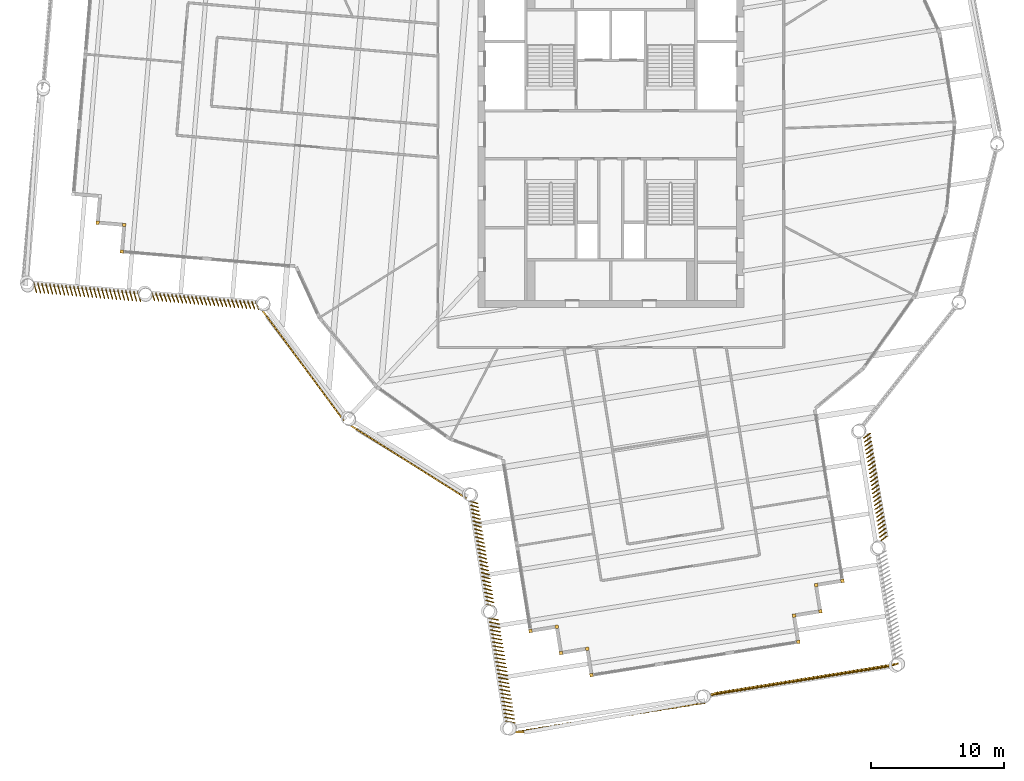
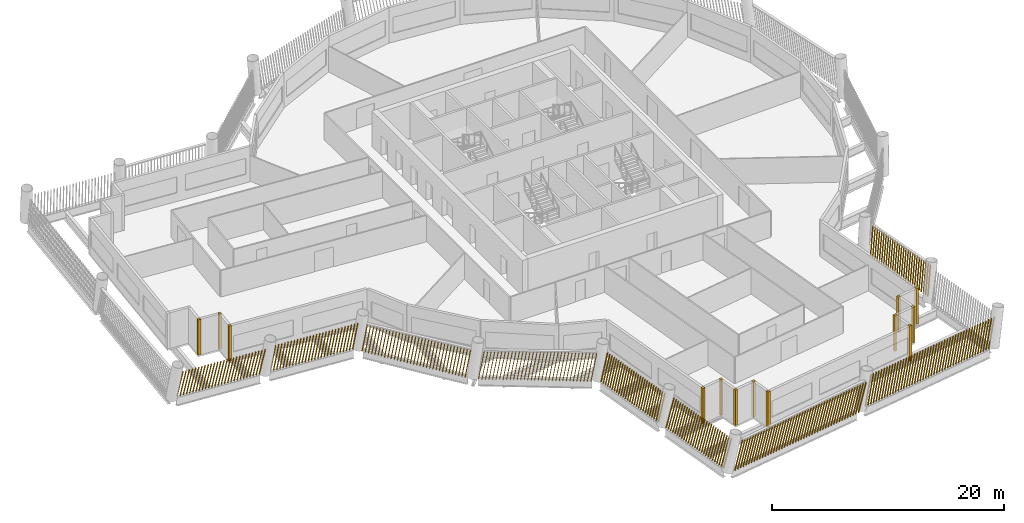
# One storey, part 10 of 14: 22 shading devices.
"""IFC4 building model written with IfcOpenShell, lengths in metres."""

from ifc_helpers import new_model, si_unit, direction, frame, frame_2d, origin, origin_2d, place, context, subcontext, project, spatial, rectangle, composite_profile, extrude, material, type_object, element, save


model = new_model("IFC4")

# Units and contexts
model_context = context("Model", 3, precision=1e-05, world=origin(), true_north=direction((0.0, 1.0)))
body_context = subcontext(model_context, "Body", "Model", "MODEL_VIEW")
ifc_project = project(units=[si_unit("LENGTHUNIT", "METRE"), si_unit("AREAUNIT", "SQUARE_METRE"), si_unit("VOLUMEUNIT", "CUBIC_METRE"), si_unit("PLANEANGLEUNIT", "RADIAN"), si_unit("MASSUNIT", "GRAM", prefix="KILO")], contexts=[model_context])

# Site, building, storey
site_placement = place(None, origin())
site = spatial("IfcSite", under=ifc_project, at=site_placement, CompositionType="ELEMENT")
building_placement = place(site_placement, origin())
building = spatial("IfcBuilding", under=site, at=building_placement, Name="Tarsis Ring Headquarters", CompositionType="ELEMENT")
storey_placement = place(building_placement, frame((0.0, 0.0, 266.89990234375)))
storey = spatial("IfcBuildingStorey", under=building, at=storey_placement, Name="L62", CompositionType="ELEMENT", Elevation=266.89990234375)

# Shading devices
ifc_material = material(Name="Terracotta baguette", Category="masonry")
shading_device_type_1 = type_object("IfcShadingDeviceType", Name="Terracotta baguette screen", PredefinedType="USERDEFINED", material=ifc_material)
shading_device_1_placement = place(storey_placement, frame((-19.543212890625, -21.869873046875, 0.0), z_axis=(0.0, 0.0, 1.0), x_axis=(0.84622495378, -0.53280367761, 0.0)))
element("IfcShadingDevice", 1, at=shading_device_1_placement, inside=storey, type_object=shading_device_type_1, Name="Baguette screen L62-00", ObjectType="Terracotta baguette screen", PredefinedType="USERDEFINED", context=body_context, shape_type="SweptSolid", body=[
    extrude(composite_profile([rectangle(XDim=0.06005859375, YDim=0.1201171875, at=frame_2d((0.030029296875, 0.0))), rectangle(XDim=0.06005859375, YDim=0.1201171875, at=frame_2d((0.33349609375, 0.0))), rectangle(XDim=0.06005859375, YDim=0.1201171875, at=frame_2d((0.636962890625, 0.0))), rectangle(XDim=0.06005859375, YDim=0.1201171875, at=frame_2d((0.9404296875, 0.0))), rectangle(XDim=0.06005859375, YDim=0.1201171875, at=frame_2d((1.243896484375, 0.0))), rectangle(XDim=0.06005859375, YDim=0.1201171875, at=frame_2d((1.54736328125, 0.0))), rectangle(XDim=0.06005859375, YDim=0.1201171875, at=frame_2d((1.85107421875, 0.0))), rectangle(XDim=0.06005859375, YDim=0.1201171875, at=frame_2d((2.154541015625, 0.0))), rectangle(XDim=0.06005859375, YDim=0.1201171875, at=frame_2d((2.4580078125, 0.0))), rectangle(XDim=0.06005859375, YDim=0.1201171875, at=frame_2d((2.761474609375, 0.0))), rectangle(XDim=0.06005859375, YDim=0.1201171875, at=frame_2d((3.06494140625, 0.0))), rectangle(XDim=0.06005859375, YDim=0.1201171875, at=frame_2d((3.368408203125, 0.0))), rectangle(XDim=0.06005859375, YDim=0.1201171875, at=frame_2d((3.671875, 0.0))), rectangle(XDim=0.06005859375, YDim=0.1201171875, at=frame_2d((3.975341796875, 0.0))), rectangle(XDim=0.06005859375, YDim=0.1201171875, at=frame_2d((4.27880859375, 0.0))), rectangle(XDim=0.06005859375, YDim=0.1201171875, at=frame_2d((4.582275390625, 0.0))), rectangle(XDim=0.06005859375, YDim=0.1201171875, at=frame_2d((4.8857421875, 0.0))), rectangle(XDim=0.06005859375, YDim=0.1201171875, at=frame_2d((5.189453125, 0.0))), rectangle(XDim=0.06005859375, YDim=0.1201171875, at=frame_2d((5.492919921875, 0.0))), rectangle(XDim=0.06005859375, YDim=0.1201171875, at=frame_2d((5.79638671875, 0.0))), rectangle(XDim=0.06005859375, YDim=0.1201171875, at=frame_2d((6.099853515625, 0.0))), rectangle(XDim=0.06005859375, YDim=0.1201171875, at=frame_2d((6.4033203125, 0.0))), rectangle(XDim=0.06005859375, YDim=0.1201171875, at=frame_2d((6.706787109375, 0.0))), rectangle(XDim=0.06005859375, YDim=0.1201171875, at=frame_2d((7.01025390625, 0.0))), rectangle(XDim=0.06005859375, YDim=0.1201171875, at=frame_2d((7.313720703125, 0.0))), rectangle(XDim=0.06005859375, YDim=0.1201171875, at=frame_2d((7.6171875, 0.0))), rectangle(XDim=0.06005859375, YDim=0.1201171875, at=frame_2d((7.920654296875, 0.0))), rectangle(XDim=0.06005859375, YDim=0.1201171875, at=frame_2d((8.224365234375, 0.0))), rectangle(XDim=0.06005859375, YDim=0.1201171875, at=frame_2d((8.52783203125, 0.0))), rectangle(XDim=0.06005859375, YDim=0.1201171875, at=frame_2d((8.831298828125, 0.0))), rectangle(XDim=0.06005859375, YDim=0.1201171875, at=frame_2d((9.134765625, 0.0))), rectangle(XDim=0.06005859375, YDim=0.1201171875, at=frame_2d((9.438232421875, 0.0))), rectangle(XDim=0.06005859375, YDim=0.1201171875, at=frame_2d((9.74169921875, 0.0)))]), origin(), (0.1676444312, 0.001464605625, 0.985846438153), 3.0107421875),
])
shading_device_2_placement = place(storey_placement, frame((-10.57177734375, -27.51904296875, 0.0), z_axis=(0.0, 0.0, 1.0), x_axis=(0.158494763185, -0.987363672877, 0.0)))
element("IfcShadingDevice", 2, at=shading_device_2_placement, inside=storey, type_object=shading_device_type_1, Name="Baguette screen L62-01", ObjectType="Terracotta baguette screen", PredefinedType="USERDEFINED", context=body_context, shape_type="SweptSolid", body=[
    extrude(composite_profile([rectangle(XDim=0.06005859375, YDim=0.1201171875, at=frame_2d((0.030029296875, 0.0))), rectangle(XDim=0.06005859375, YDim=0.1201171875, at=frame_2d((0.33154296875, 0.0))), rectangle(XDim=0.06005859375, YDim=0.1201171875, at=frame_2d((0.63330078125, 0.0))), rectangle(XDim=0.06005859375, YDim=0.1201171875, at=frame_2d((0.934814453125, 0.0))), rectangle(XDim=0.06005859375, YDim=0.1201171875, at=frame_2d((1.236572265625, 0.0))), rectangle(XDim=0.06005859375, YDim=0.1201171875, at=frame_2d((1.5380859375, 0.0))), rectangle(XDim=0.06005859375, YDim=0.1201171875, at=frame_2d((1.83984375, 0.0))), rectangle(XDim=0.06005859375, YDim=0.1201171875, at=frame_2d((2.141357421875, 0.0))), rectangle(XDim=0.06005859375, YDim=0.1201171875, at=frame_2d((2.443115234375, 0.0))), rectangle(XDim=0.06005859375, YDim=0.1201171875, at=frame_2d((2.74462890625, 0.0))), rectangle(XDim=0.06005859375, YDim=0.1201171875, at=frame_2d((3.04638671875, 0.0))), rectangle(XDim=0.06005859375, YDim=0.1201171875, at=frame_2d((3.347900390625, 0.0))), rectangle(XDim=0.06005859375, YDim=0.1201171875, at=frame_2d((3.649658203125, 0.0))), rectangle(XDim=0.06005859375, YDim=0.1201171875, at=frame_2d((3.951171875, 0.0))), rectangle(XDim=0.06005859375, YDim=0.1201171875, at=frame_2d((4.252685546875, 0.0))), rectangle(XDim=0.06005859375, YDim=0.1201171875, at=frame_2d((4.554443359375, 0.0))), rectangle(XDim=0.06005859375, YDim=0.1201171875, at=frame_2d((4.85595703125, 0.0))), rectangle(XDim=0.06005859375, YDim=0.1201171875, at=frame_2d((5.15771484375, 0.0))), rectangle(XDim=0.06005859375, YDim=0.1201171875, at=frame_2d((5.459228515625, 0.0))), rectangle(XDim=0.06005859375, YDim=0.1201171875, at=frame_2d((5.760986328125, 0.0))), rectangle(XDim=0.06005859375, YDim=0.1201171875, at=frame_2d((6.0625, 0.0))), rectangle(XDim=0.06005859375, YDim=0.1201171875, at=frame_2d((6.3642578125, 0.0))), rectangle(XDim=0.06005859375, YDim=0.1201171875, at=frame_2d((6.665771484375, 0.0))), rectangle(XDim=0.06005859375, YDim=0.1201171875, at=frame_2d((6.967529296875, 0.0))), rectangle(XDim=0.06005859375, YDim=0.1201171875, at=frame_2d((7.26904296875, 0.0))), rectangle(XDim=0.06005859375, YDim=0.1201171875, at=frame_2d((7.57080078125, 0.0))), rectangle(XDim=0.06005859375, YDim=0.1201171875, at=frame_2d((7.872314453125, 0.0)))]), origin(), (0.083952026305, 0.170734906105, 0.981734001202), 3.023193359375),
])
shading_device_3_placement = place(storey_placement, frame((-9.160888671875, -36.308837890625, 0.0), z_axis=(0.0, 0.0, 1.0), x_axis=(0.15852565885, -0.987363672877, 0.0)))
element("IfcShadingDevice", 3, at=shading_device_3_placement, inside=storey, type_object=shading_device_type_1, Name="Baguette screen L62-02", ObjectType="Terracotta baguette screen", PredefinedType="USERDEFINED", context=body_context, shape_type="SweptSolid", body=[
    extrude(composite_profile([rectangle(XDim=0.06005859375, YDim=0.1201171875, at=frame_2d((0.030029296875, 0.0))), rectangle(XDim=0.06005859375, YDim=0.1201171875, at=frame_2d((0.33154296875, 0.0))), rectangle(XDim=0.06005859375, YDim=0.1201171875, at=frame_2d((0.63330078125, 0.0))), rectangle(XDim=0.06005859375, YDim=0.1201171875, at=frame_2d((0.934814453125, 0.0))), rectangle(XDim=0.06005859375, YDim=0.1201171875, at=frame_2d((1.236572265625, 0.0))), rectangle(XDim=0.06005859375, YDim=0.1201171875, at=frame_2d((1.5380859375, 0.0))), rectangle(XDim=0.06005859375, YDim=0.1201171875, at=frame_2d((1.83984375, 0.0))), rectangle(XDim=0.06005859375, YDim=0.1201171875, at=frame_2d((2.141357421875, 0.0))), rectangle(XDim=0.06005859375, YDim=0.1201171875, at=frame_2d((2.443115234375, 0.0))), rectangle(XDim=0.06005859375, YDim=0.1201171875, at=frame_2d((2.74462890625, 0.0))), rectangle(XDim=0.06005859375, YDim=0.1201171875, at=frame_2d((3.04638671875, 0.0))), rectangle(XDim=0.06005859375, YDim=0.1201171875, at=frame_2d((3.347900390625, 0.0))), rectangle(XDim=0.06005859375, YDim=0.1201171875, at=frame_2d((3.649658203125, 0.0))), rectangle(XDim=0.06005859375, YDim=0.1201171875, at=frame_2d((3.951171875, 0.0))), rectangle(XDim=0.06005859375, YDim=0.1201171875, at=frame_2d((4.252685546875, 0.0))), rectangle(XDim=0.06005859375, YDim=0.1201171875, at=frame_2d((4.554443359375, 0.0))), rectangle(XDim=0.06005859375, YDim=0.1201171875, at=frame_2d((4.85595703125, 0.0))), rectangle(XDim=0.06005859375, YDim=0.1201171875, at=frame_2d((5.15771484375, 0.0))), rectangle(XDim=0.06005859375, YDim=0.1201171875, at=frame_2d((5.459228515625, 0.0))), rectangle(XDim=0.06005859375, YDim=0.1201171875, at=frame_2d((5.760986328125, 0.0))), rectangle(XDim=0.06005859375, YDim=0.1201171875, at=frame_2d((6.0625, 0.0))), rectangle(XDim=0.06005859375, YDim=0.1201171875, at=frame_2d((6.3642578125, 0.0))), rectangle(XDim=0.06005859375, YDim=0.1201171875, at=frame_2d((6.665771484375, 0.0))), rectangle(XDim=0.06005859375, YDim=0.1201171875, at=frame_2d((6.967529296875, 0.0))), rectangle(XDim=0.06005859375, YDim=0.1201171875, at=frame_2d((7.26904296875, 0.0))), rectangle(XDim=0.06005859375, YDim=0.1201171875, at=frame_2d((7.57080078125, 0.0))), rectangle(XDim=0.06005859375, YDim=0.1201171875, at=frame_2d((7.872314453125, 0.0)))]), origin(), (0.082683060161, 0.219923307519, 0.972006816011), 3.053466796875),
])
shading_device_4_placement = place(storey_placement, frame((-7.27587890625, -44.895751953125, 0.0), z_axis=(0.0, 0.0, 1.0), x_axis=(0.987350729766, 0.158496240602, 0.0)))
element("IfcShadingDevice", 4, at=shading_device_4_placement, inside=storey, type_object=shading_device_type_1, Name="Baguette screen L62-03", ObjectType="Terracotta baguette screen", PredefinedType="USERDEFINED", context=body_context, shape_type="SweptSolid", body=[
    extrude(composite_profile([rectangle(XDim=0.06005859375, YDim=0.1201171875, at=frame_2d((0.030029296875, 0.0))), rectangle(XDim=0.06005859375, YDim=0.1201171875, at=frame_2d((0.33544921875, 0.0))), rectangle(XDim=0.06005859375, YDim=0.1201171875, at=frame_2d((0.640625, 0.0))), rectangle(XDim=0.06005859375, YDim=0.1201171875, at=frame_2d((0.946044921875, 0.0))), rectangle(XDim=0.06005859375, YDim=0.1201171875, at=frame_2d((1.25146484375, 0.0))), rectangle(XDim=0.06005859375, YDim=0.1201171875, at=frame_2d((1.556640625, 0.0))), rectangle(XDim=0.06005859375, YDim=0.1201171875, at=frame_2d((1.862060546875, 0.0))), rectangle(XDim=0.06005859375, YDim=0.1201171875, at=frame_2d((2.16748046875, 0.0))), rectangle(XDim=0.06005859375, YDim=0.1201171875, at=frame_2d((2.47265625, 0.0))), rectangle(XDim=0.06005859375, YDim=0.1201171875, at=frame_2d((2.778076171875, 0.0))), rectangle(XDim=0.06005859375, YDim=0.1201171875, at=frame_2d((3.08349609375, 0.0))), rectangle(XDim=0.06005859375, YDim=0.1201171875, at=frame_2d((3.388671875, 0.0))), rectangle(XDim=0.06005859375, YDim=0.1201171875, at=frame_2d((3.694091796875, 0.0))), rectangle(XDim=0.06005859375, YDim=0.1201171875, at=frame_2d((3.99951171875, 0.0))), rectangle(XDim=0.06005859375, YDim=0.1201171875, at=frame_2d((4.3046875, 0.0))), rectangle(XDim=0.06005859375, YDim=0.1201171875, at=frame_2d((4.610107421875, 0.0))), rectangle(XDim=0.06005859375, YDim=0.1201171875, at=frame_2d((4.91552734375, 0.0))), rectangle(XDim=0.06005859375, YDim=0.1201171875, at=frame_2d((5.220703125, 0.0))), rectangle(XDim=0.06005859375, YDim=0.1201171875, at=frame_2d((5.526123046875, 0.0))), rectangle(XDim=0.06005859375, YDim=0.1201171875, at=frame_2d((5.83154296875, 0.0))), rectangle(XDim=0.06005859375, YDim=0.1201171875, at=frame_2d((6.13671875, 0.0))), rectangle(XDim=0.06005859375, YDim=0.1201171875, at=frame_2d((6.442138671875, 0.0))), rectangle(XDim=0.06005859375, YDim=0.1201171875, at=frame_2d((6.74755859375, 0.0))), rectangle(XDim=0.06005859375, YDim=0.1201171875, at=frame_2d((7.052734375, 0.0))), rectangle(XDim=0.06005859375, YDim=0.1201171875, at=frame_2d((7.358154296875, 0.0))), rectangle(XDim=0.06005859375, YDim=0.1201171875, at=frame_2d((7.66357421875, 0.0))), rectangle(XDim=0.06005859375, YDim=0.1201171875, at=frame_2d((7.96875, 0.0))), rectangle(XDim=0.06005859375, YDim=0.1201171875, at=frame_2d((8.274169921875, 0.0))), rectangle(XDim=0.06005859375, YDim=0.1201171875, at=frame_2d((8.57958984375, 0.0))), rectangle(XDim=0.06005859375, YDim=0.1201171875, at=frame_2d((8.884765625, 0.0))), rectangle(XDim=0.06005859375, YDim=0.1201171875, at=frame_2d((9.190185546875, 0.0))), rectangle(XDim=0.06005859375, YDim=0.1201171875, at=frame_2d((9.49560546875, 0.0))), rectangle(XDim=0.06005859375, YDim=0.1201171875, at=frame_2d((9.80078125, 0.0))), rectangle(XDim=0.06005859375, YDim=0.1201171875, at=frame_2d((10.106201171875, 0.0))), rectangle(XDim=0.06005859375, YDim=0.1201171875, at=frame_2d((10.41162109375, 0.0))), rectangle(XDim=0.06005859375, YDim=0.1201171875, at=frame_2d((10.716796875, 0.0))), rectangle(XDim=0.06005859375, YDim=0.1201171875, at=frame_2d((11.022216796875, 0.0))), rectangle(XDim=0.06005859375, YDim=0.1201171875, at=frame_2d((11.32763671875, 0.0))), rectangle(XDim=0.06005859375, YDim=0.1201171875, at=frame_2d((11.6328125, 0.0))), rectangle(XDim=0.06005859375, YDim=0.1201171875, at=frame_2d((11.938232421875, 0.0))), rectangle(XDim=0.06005859375, YDim=0.1201171875, at=frame_2d((12.24365234375, 0.0))), rectangle(XDim=0.06005859375, YDim=0.1201171875, at=frame_2d((12.548828125, 0.0))), rectangle(XDim=0.06005859375, YDim=0.1201171875, at=frame_2d((12.854248046875, 0.0))), rectangle(XDim=0.06005859375, YDim=0.1201171875, at=frame_2d((13.15966796875, 0.0))), rectangle(XDim=0.06005859375, YDim=0.1201171875, at=frame_2d((13.46484375, 0.0))), rectangle(XDim=0.06005859375, YDim=0.1201171875, at=frame_2d((13.770263671875, 0.0)))]), origin(), (0.246216373169, -0.039990587042, 0.968389513848), 3.06494140625),
])
shading_device_5_placement = place(storey_placement, frame((7.277587890625, -42.1796875, 0.0), z_axis=(0.0, 0.0, 1.0), x_axis=(0.987350729766, 0.158496240602, 0.0)))
element("IfcShadingDevice", 5, at=shading_device_5_placement, inside=storey, type_object=shading_device_type_1, Name="Baguette screen L62-04", ObjectType="Terracotta baguette screen", PredefinedType="USERDEFINED", context=body_context, shape_type="SweptSolid", body=[
    extrude(composite_profile([rectangle(XDim=0.06005859375, YDim=0.1201171875, at=frame_2d((0.030029296875, 0.0))), rectangle(XDim=0.06005859375, YDim=0.1201171875, at=frame_2d((0.33544921875, 0.0))), rectangle(XDim=0.06005859375, YDim=0.1201171875, at=frame_2d((0.640625, 0.0))), rectangle(XDim=0.06005859375, YDim=0.1201171875, at=frame_2d((0.946044921875, 0.0))), rectangle(XDim=0.06005859375, YDim=0.1201171875, at=frame_2d((1.25146484375, 0.0))), rectangle(XDim=0.06005859375, YDim=0.1201171875, at=frame_2d((1.556640625, 0.0))), rectangle(XDim=0.06005859375, YDim=0.1201171875, at=frame_2d((1.862060546875, 0.0))), rectangle(XDim=0.06005859375, YDim=0.1201171875, at=frame_2d((2.16748046875, 0.0))), rectangle(XDim=0.06005859375, YDim=0.1201171875, at=frame_2d((2.47265625, 0.0))), rectangle(XDim=0.06005859375, YDim=0.1201171875, at=frame_2d((2.778076171875, 0.0))), rectangle(XDim=0.06005859375, YDim=0.1201171875, at=frame_2d((3.08349609375, 0.0))), rectangle(XDim=0.06005859375, YDim=0.1201171875, at=frame_2d((3.388671875, 0.0))), rectangle(XDim=0.06005859375, YDim=0.1201171875, at=frame_2d((3.694091796875, 0.0))), rectangle(XDim=0.06005859375, YDim=0.1201171875, at=frame_2d((3.99951171875, 0.0))), rectangle(XDim=0.06005859375, YDim=0.1201171875, at=frame_2d((4.3046875, 0.0))), rectangle(XDim=0.06005859375, YDim=0.1201171875, at=frame_2d((4.610107421875, 0.0))), rectangle(XDim=0.06005859375, YDim=0.1201171875, at=frame_2d((4.91552734375, 0.0))), rectangle(XDim=0.06005859375, YDim=0.1201171875, at=frame_2d((5.220703125, 0.0))), rectangle(XDim=0.06005859375, YDim=0.1201171875, at=frame_2d((5.526123046875, 0.0))), rectangle(XDim=0.06005859375, YDim=0.1201171875, at=frame_2d((5.83154296875, 0.0))), rectangle(XDim=0.06005859375, YDim=0.1201171875, at=frame_2d((6.13671875, 0.0))), rectangle(XDim=0.06005859375, YDim=0.1201171875, at=frame_2d((6.442138671875, 0.0))), rectangle(XDim=0.06005859375, YDim=0.1201171875, at=frame_2d((6.74755859375, 0.0))), rectangle(XDim=0.06005859375, YDim=0.1201171875, at=frame_2d((7.052734375, 0.0))), rectangle(XDim=0.06005859375, YDim=0.1201171875, at=frame_2d((7.358154296875, 0.0))), rectangle(XDim=0.06005859375, YDim=0.1201171875, at=frame_2d((7.66357421875, 0.0))), rectangle(XDim=0.06005859375, YDim=0.1201171875, at=frame_2d((7.96875, 0.0))), rectangle(XDim=0.06005859375, YDim=0.1201171875, at=frame_2d((8.274169921875, 0.0))), rectangle(XDim=0.06005859375, YDim=0.1201171875, at=frame_2d((8.57958984375, 0.0))), rectangle(XDim=0.06005859375, YDim=0.1201171875, at=frame_2d((8.884765625, 0.0))), rectangle(XDim=0.06005859375, YDim=0.1201171875, at=frame_2d((9.190185546875, 0.0))), rectangle(XDim=0.06005859375, YDim=0.1201171875, at=frame_2d((9.49560546875, 0.0))), rectangle(XDim=0.06005859375, YDim=0.1201171875, at=frame_2d((9.80078125, 0.0))), rectangle(XDim=0.06005859375, YDim=0.1201171875, at=frame_2d((10.106201171875, 0.0))), rectangle(XDim=0.06005859375, YDim=0.1201171875, at=frame_2d((10.41162109375, 0.0))), rectangle(XDim=0.06005859375, YDim=0.1201171875, at=frame_2d((10.716796875, 0.0))), rectangle(XDim=0.06005859375, YDim=0.1201171875, at=frame_2d((11.022216796875, 0.0))), rectangle(XDim=0.06005859375, YDim=0.1201171875, at=frame_2d((11.32763671875, 0.0))), rectangle(XDim=0.06005859375, YDim=0.1201171875, at=frame_2d((11.6328125, 0.0))), rectangle(XDim=0.06005859375, YDim=0.1201171875, at=frame_2d((11.938232421875, 0.0))), rectangle(XDim=0.06005859375, YDim=0.1201171875, at=frame_2d((12.24365234375, 0.0))), rectangle(XDim=0.06005859375, YDim=0.1201171875, at=frame_2d((12.548828125, 0.0))), rectangle(XDim=0.06005859375, YDim=0.1201171875, at=frame_2d((12.854248046875, 0.0))), rectangle(XDim=0.06005859375, YDim=0.1201171875, at=frame_2d((13.15966796875, 0.0))), rectangle(XDim=0.06005859375, YDim=0.1201171875, at=frame_2d((13.46484375, 0.0))), rectangle(XDim=0.06005859375, YDim=0.1201171875, at=frame_2d((13.770263671875, 0.0)))]), origin(), (0.24347249301, 0.044288752015, 0.968896099482), 3.063232421875),
])
shading_device_6_placement = place(storey_placement, frame((20.27685546875, -30.5703125, 0.0), z_axis=(0.0, 0.0, 1.0), x_axis=(-0.158520761246, 0.987364063272, 0.0)))
element("IfcShadingDevice", 6, at=shading_device_6_placement, inside=storey, type_object=shading_device_type_1, Name="Baguette screen L62-06", ObjectType="Terracotta baguette screen", PredefinedType="USERDEFINED", context=body_context, shape_type="SweptSolid", body=[
    extrude(composite_profile([rectangle(XDim=0.06005859375, YDim=0.1201171875, at=frame_2d((0.030029296875, 0.0))), rectangle(XDim=0.06005859375, YDim=0.1201171875, at=frame_2d((0.33154296875, 0.0))), rectangle(XDim=0.06005859375, YDim=0.1201171875, at=frame_2d((0.63330078125, 0.0))), rectangle(XDim=0.06005859375, YDim=0.1201171875, at=frame_2d((0.934814453125, 0.0))), rectangle(XDim=0.06005859375, YDim=0.1201171875, at=frame_2d((1.236572265625, 0.0))), rectangle(XDim=0.06005859375, YDim=0.1201171875, at=frame_2d((1.5380859375, 0.0))), rectangle(XDim=0.06005859375, YDim=0.1201171875, at=frame_2d((1.83984375, 0.0))), rectangle(XDim=0.06005859375, YDim=0.1201171875, at=frame_2d((2.141357421875, 0.0))), rectangle(XDim=0.06005859375, YDim=0.1201171875, at=frame_2d((2.443115234375, 0.0))), rectangle(XDim=0.06005859375, YDim=0.1201171875, at=frame_2d((2.74462890625, 0.0))), rectangle(XDim=0.06005859375, YDim=0.1201171875, at=frame_2d((3.04638671875, 0.0))), rectangle(XDim=0.06005859375, YDim=0.1201171875, at=frame_2d((3.347900390625, 0.0))), rectangle(XDim=0.06005859375, YDim=0.1201171875, at=frame_2d((3.649658203125, 0.0))), rectangle(XDim=0.06005859375, YDim=0.1201171875, at=frame_2d((3.951171875, 0.0))), rectangle(XDim=0.06005859375, YDim=0.1201171875, at=frame_2d((4.252685546875, 0.0))), rectangle(XDim=0.06005859375, YDim=0.1201171875, at=frame_2d((4.554443359375, 0.0))), rectangle(XDim=0.06005859375, YDim=0.1201171875, at=frame_2d((4.85595703125, 0.0))), rectangle(XDim=0.06005859375, YDim=0.1201171875, at=frame_2d((5.15771484375, 0.0))), rectangle(XDim=0.06005859375, YDim=0.1201171875, at=frame_2d((5.459228515625, 0.0))), rectangle(XDim=0.06005859375, YDim=0.1201171875, at=frame_2d((5.760986328125, 0.0))), rectangle(XDim=0.06005859375, YDim=0.1201171875, at=frame_2d((6.0625, 0.0))), rectangle(XDim=0.06005859375, YDim=0.1201171875, at=frame_2d((6.3642578125, 0.0))), rectangle(XDim=0.06005859375, YDim=0.1201171875, at=frame_2d((6.665771484375, 0.0))), rectangle(XDim=0.06005859375, YDim=0.1201171875, at=frame_2d((6.967529296875, 0.0))), rectangle(XDim=0.06005859375, YDim=0.1201171875, at=frame_2d((7.26904296875, 0.0))), rectangle(XDim=0.06005859375, YDim=0.1201171875, at=frame_2d((7.57080078125, 0.0))), rectangle(XDim=0.06005859375, YDim=0.1201171875, at=frame_2d((7.872314453125, 0.0)))]), origin(), (0.089066119418, -0.169194669204, 0.981549993778), 3.02392578125),
])
shading_device_7_placement = place(storey_placement, frame((-43.40576171875, -11.14794921875, 0.0), z_axis=(0.0, 0.0, 1.0), x_axis=(0.996385318833, -0.085053138903, 0.0)))
element("IfcShadingDevice", 7, at=shading_device_7_placement, inside=storey, type_object=shading_device_type_1, Name="Baguette screen L62-19", ObjectType="Terracotta baguette screen", PredefinedType="USERDEFINED", context=body_context, shape_type="SweptSolid", body=[
    extrude(composite_profile([rectangle(XDim=0.06005859375, YDim=0.1201171875, at=frame_2d((0.030029296875, 0.0))), rectangle(XDim=0.06005859375, YDim=0.1201171875, at=frame_2d((0.33154296875, 0.0))), rectangle(XDim=0.06005859375, YDim=0.1201171875, at=frame_2d((0.63330078125, 0.0))), rectangle(XDim=0.06005859375, YDim=0.1201171875, at=frame_2d((0.934814453125, 0.0))), rectangle(XDim=0.06005859375, YDim=0.1201171875, at=frame_2d((1.236572265625, 0.0))), rectangle(XDim=0.06005859375, YDim=0.1201171875, at=frame_2d((1.5380859375, 0.0))), rectangle(XDim=0.06005859375, YDim=0.1201171875, at=frame_2d((1.83984375, 0.0))), rectangle(XDim=0.06005859375, YDim=0.1201171875, at=frame_2d((2.141357421875, 0.0))), rectangle(XDim=0.06005859375, YDim=0.1201171875, at=frame_2d((2.443115234375, 0.0))), rectangle(XDim=0.06005859375, YDim=0.1201171875, at=frame_2d((2.74462890625, 0.0))), rectangle(XDim=0.06005859375, YDim=0.1201171875, at=frame_2d((3.04638671875, 0.0))), rectangle(XDim=0.06005859375, YDim=0.1201171875, at=frame_2d((3.347900390625, 0.0))), rectangle(XDim=0.06005859375, YDim=0.1201171875, at=frame_2d((3.649658203125, 0.0))), rectangle(XDim=0.06005859375, YDim=0.1201171875, at=frame_2d((3.951171875, 0.0))), rectangle(XDim=0.06005859375, YDim=0.1201171875, at=frame_2d((4.252685546875, 0.0))), rectangle(XDim=0.06005859375, YDim=0.1201171875, at=frame_2d((4.554443359375, 0.0))), rectangle(XDim=0.06005859375, YDim=0.1201171875, at=frame_2d((4.85595703125, 0.0))), rectangle(XDim=0.06005859375, YDim=0.1201171875, at=frame_2d((5.15771484375, 0.0))), rectangle(XDim=0.06005859375, YDim=0.1201171875, at=frame_2d((5.459228515625, 0.0))), rectangle(XDim=0.06005859375, YDim=0.1201171875, at=frame_2d((5.760986328125, 0.0))), rectangle(XDim=0.06005859375, YDim=0.1201171875, at=frame_2d((6.0625, 0.0))), rectangle(XDim=0.06005859375, YDim=0.1201171875, at=frame_2d((6.3642578125, 0.0))), rectangle(XDim=0.06005859375, YDim=0.1201171875, at=frame_2d((6.665771484375, 0.0))), rectangle(XDim=0.06005859375, YDim=0.1201171875, at=frame_2d((6.967529296875, 0.0))), rectangle(XDim=0.06005859375, YDim=0.1201171875, at=frame_2d((7.26904296875, 0.0))), rectangle(XDim=0.06005859375, YDim=0.1201171875, at=frame_2d((7.57080078125, 0.0))), rectangle(XDim=0.06005859375, YDim=0.1201171875, at=frame_2d((7.872314453125, 0.0)))]), origin(), (0.086499889943, -0.218450196337, 0.972006831643), 3.053466796875),
])
shading_device_8_placement = place(storey_placement, frame((-34.53564453125, -11.9052734375, 0.0), z_axis=(0.0, 0.0, 1.0), x_axis=(0.996385207155, -0.085055766676, 0.0)))
element("IfcShadingDevice", 8, at=shading_device_8_placement, inside=storey, type_object=shading_device_type_1, Name="Baguette screen L62-20", ObjectType="Terracotta baguette screen", PredefinedType="USERDEFINED", context=body_context, shape_type="SweptSolid", body=[
    extrude(composite_profile([rectangle(XDim=0.06005859375, YDim=0.1201171875, at=frame_2d((0.030029296875, 0.0))), rectangle(XDim=0.06005859375, YDim=0.1201171875, at=frame_2d((0.33154296875, 0.0))), rectangle(XDim=0.06005859375, YDim=0.1201171875, at=frame_2d((0.63330078125, 0.0))), rectangle(XDim=0.06005859375, YDim=0.1201171875, at=frame_2d((0.934814453125, 0.0))), rectangle(XDim=0.06005859375, YDim=0.1201171875, at=frame_2d((1.236572265625, 0.0))), rectangle(XDim=0.06005859375, YDim=0.1201171875, at=frame_2d((1.5380859375, 0.0))), rectangle(XDim=0.06005859375, YDim=0.1201171875, at=frame_2d((1.83984375, 0.0))), rectangle(XDim=0.06005859375, YDim=0.1201171875, at=frame_2d((2.141357421875, 0.0))), rectangle(XDim=0.06005859375, YDim=0.1201171875, at=frame_2d((2.443115234375, 0.0))), rectangle(XDim=0.06005859375, YDim=0.1201171875, at=frame_2d((2.74462890625, 0.0))), rectangle(XDim=0.06005859375, YDim=0.1201171875, at=frame_2d((3.04638671875, 0.0))), rectangle(XDim=0.06005859375, YDim=0.1201171875, at=frame_2d((3.347900390625, 0.0))), rectangle(XDim=0.06005859375, YDim=0.1201171875, at=frame_2d((3.649658203125, 0.0))), rectangle(XDim=0.06005859375, YDim=0.1201171875, at=frame_2d((3.951171875, 0.0))), rectangle(XDim=0.06005859375, YDim=0.1201171875, at=frame_2d((4.252685546875, 0.0))), rectangle(XDim=0.06005859375, YDim=0.1201171875, at=frame_2d((4.554443359375, 0.0))), rectangle(XDim=0.06005859375, YDim=0.1201171875, at=frame_2d((4.85595703125, 0.0))), rectangle(XDim=0.06005859375, YDim=0.1201171875, at=frame_2d((5.15771484375, 0.0))), rectangle(XDim=0.06005859375, YDim=0.1201171875, at=frame_2d((5.459228515625, 0.0))), rectangle(XDim=0.06005859375, YDim=0.1201171875, at=frame_2d((5.760986328125, 0.0))), rectangle(XDim=0.06005859375, YDim=0.1201171875, at=frame_2d((6.0625, 0.0))), rectangle(XDim=0.06005859375, YDim=0.1201171875, at=frame_2d((6.3642578125, 0.0))), rectangle(XDim=0.06005859375, YDim=0.1201171875, at=frame_2d((6.665771484375, 0.0))), rectangle(XDim=0.06005859375, YDim=0.1201171875, at=frame_2d((6.967529296875, 0.0))), rectangle(XDim=0.06005859375, YDim=0.1201171875, at=frame_2d((7.26904296875, 0.0))), rectangle(XDim=0.06005859375, YDim=0.1201171875, at=frame_2d((7.57080078125, 0.0))), rectangle(XDim=0.06005859375, YDim=0.1201171875, at=frame_2d((7.872314453125, 0.0)))]), origin(), (0.086918375495, -0.169245077153, 0.981733823325), 3.023193359375),
])
shading_device_9_placement = place(storey_placement, frame((-26.168701171875, -13.244873046875, 0.0), z_axis=(0.0, 0.0, 1.0), x_axis=(0.593903810119, -0.804547158026, 0.0)))
element("IfcShadingDevice", 9, at=shading_device_9_placement, inside=storey, type_object=shading_device_type_1, Name="Baguette screen L62-21", ObjectType="Terracotta baguette screen", PredefinedType="USERDEFINED", context=body_context, shape_type="SweptSolid", body=[
    extrude(composite_profile([rectangle(XDim=0.06005859375, YDim=0.1201171875, at=frame_2d((0.030029296875, 0.0))), rectangle(XDim=0.06005859375, YDim=0.1201171875, at=frame_2d((0.33349609375, 0.0))), rectangle(XDim=0.06005859375, YDim=0.1201171875, at=frame_2d((0.636962890625, 0.0))), rectangle(XDim=0.06005859375, YDim=0.1201171875, at=frame_2d((0.9404296875, 0.0))), rectangle(XDim=0.06005859375, YDim=0.1201171875, at=frame_2d((1.243896484375, 0.0))), rectangle(XDim=0.06005859375, YDim=0.1201171875, at=frame_2d((1.54736328125, 0.0))), rectangle(XDim=0.06005859375, YDim=0.1201171875, at=frame_2d((1.85107421875, 0.0))), rectangle(XDim=0.06005859375, YDim=0.1201171875, at=frame_2d((2.154541015625, 0.0))), rectangle(XDim=0.06005859375, YDim=0.1201171875, at=frame_2d((2.4580078125, 0.0))), rectangle(XDim=0.06005859375, YDim=0.1201171875, at=frame_2d((2.761474609375, 0.0))), rectangle(XDim=0.06005859375, YDim=0.1201171875, at=frame_2d((3.06494140625, 0.0))), rectangle(XDim=0.06005859375, YDim=0.1201171875, at=frame_2d((3.368408203125, 0.0))), rectangle(XDim=0.06005859375, YDim=0.1201171875, at=frame_2d((3.671875, 0.0))), rectangle(XDim=0.06005859375, YDim=0.1201171875, at=frame_2d((3.975341796875, 0.0))), rectangle(XDim=0.06005859375, YDim=0.1201171875, at=frame_2d((4.27880859375, 0.0))), rectangle(XDim=0.06005859375, YDim=0.1201171875, at=frame_2d((4.582275390625, 0.0))), rectangle(XDim=0.06005859375, YDim=0.1201171875, at=frame_2d((4.8857421875, 0.0))), rectangle(XDim=0.06005859375, YDim=0.1201171875, at=frame_2d((5.189453125, 0.0))), rectangle(XDim=0.06005859375, YDim=0.1201171875, at=frame_2d((5.492919921875, 0.0))), rectangle(XDim=0.06005859375, YDim=0.1201171875, at=frame_2d((5.79638671875, 0.0))), rectangle(XDim=0.06005859375, YDim=0.1201171875, at=frame_2d((6.099853515625, 0.0))), rectangle(XDim=0.06005859375, YDim=0.1201171875, at=frame_2d((6.4033203125, 0.0))), rectangle(XDim=0.06005859375, YDim=0.1201171875, at=frame_2d((6.706787109375, 0.0))), rectangle(XDim=0.06005859375, YDim=0.1201171875, at=frame_2d((7.01025390625, 0.0))), rectangle(XDim=0.06005859375, YDim=0.1201171875, at=frame_2d((7.313720703125, 0.0))), rectangle(XDim=0.06005859375, YDim=0.1201171875, at=frame_2d((7.6171875, 0.0))), rectangle(XDim=0.06005859375, YDim=0.1201171875, at=frame_2d((7.920654296875, 0.0))), rectangle(XDim=0.06005859375, YDim=0.1201171875, at=frame_2d((8.224365234375, 0.0))), rectangle(XDim=0.06005859375, YDim=0.1201171875, at=frame_2d((8.52783203125, 0.0))), rectangle(XDim=0.06005859375, YDim=0.1201171875, at=frame_2d((8.831298828125, 0.0))), rectangle(XDim=0.06005859375, YDim=0.1201171875, at=frame_2d((9.134765625, 0.0))), rectangle(XDim=0.06005859375, YDim=0.1201171875, at=frame_2d((9.438232421875, 0.0))), rectangle(XDim=0.06005859375, YDim=0.1201171875, at=frame_2d((9.74169921875, 0.0)))]), origin(), (0.167647597476, 0.001465758224, 0.985845898005), 3.0107421875),
])
shading_device_type_2 = type_object("IfcShadingDeviceType", Name="Terracotta corner baguette 250x250", PredefinedType="USERDEFINED", material=ifc_material)
for number, where, z_axis, x_axis, name in (
    (10, (-36.755126953125, -8.780029296875, 0.0), (0.0, 0.0, 1.0), (-0.085069006092, -0.996375062014, 0.0), "Corner baguette L62-01"),
    (11, (-6.03857421875, -37.3037109375, 0.0), (0.0, 0.0, 1.0), (0.15850278175, -0.987358530716, 0.0), "Corner baguette L62-07"),
    (12, (-4.06396484375, -36.98681640625, 0.0), (0.0, 0.0, 1.0), (0.987358561146, 0.158502592191, 0.0), "Corner baguette L62-08"),
    (13, (-3.746826171875, -38.96142578125, 0.0), (0.0, 0.0, 1.0), (0.158503005775, -0.987358494753, 0.0), "Corner baguette L62-09"),
    (14, (-1.772216796875, -38.64453125, 0.0), (0.0, 0.0, 1.0), (0.987358508585, 0.158502919611, 0.0), "Corner baguette L62-10"),
    (15, (-1.455078125, -40.619140625, 0.0), (0.0, 0.0, 1.0), (0.158502506028, -0.987358574978, 0.0), "Corner baguette L62-11"),
    (16, (14.095703125, -38.122802734375, 0.0), (0.0, 0.0, 1.0), (0.987358547314, 0.158502678354, 0.0), "Corner baguette L62-12"),
    (17, (13.77880859375, -36.14794921875, 0.0), (0.0, 0.0, 1.0), (-0.158502919611, 0.987358508585, 0.0), "Corner baguette L62-13"),
    (18, (15.75341796875, -35.8310546875, 0.0), (0.0, 0.0, 1.0), (0.987358574978, 0.158502506028, 0.0), "Corner baguette L62-14"),
    (19, (15.4365234375, -33.856201171875, 0.0), (0.0, 0.0, 1.0), (-0.158503005775, 0.987358494753, 0.0), "Corner baguette L62-15"),
    (20, (17.4111328125, -33.539306640625, 0.0), (0.0, 0.0, 1.0), (0.987358586044, 0.158502437097, 0.0), "Corner baguette L62-16"),
    (21, (-38.577880859375, -6.6171875, 0.0), (0.0, 0.0, 1.0), (-0.085069458233, -0.99637502341, 0.0), "Corner baguette L62-39"),
    (22, (-36.5849609375, -6.787353515625, 0.0), (0.0, 0.0, 1.0), (0.996375064983, -0.085068971312, 0.0), "Corner baguette L62-40"),
):
    element("IfcShadingDevice", number, at=place(storey_placement, frame(where, z_axis=z_axis, x_axis=x_axis)), inside=storey, type_object=shading_device_type_2, Name=name, ObjectType="Terracotta corner baguette", PredefinedType="USERDEFINED", context=body_context, shape_type="SweptSolid", body=[
        extrude(rectangle(XDim=0.25, YDim=0.25, at=origin_2d()), origin(), (0.0, 0.0, 1.0), 3.739990234375),
    ])

save(model, "model.ifc")
